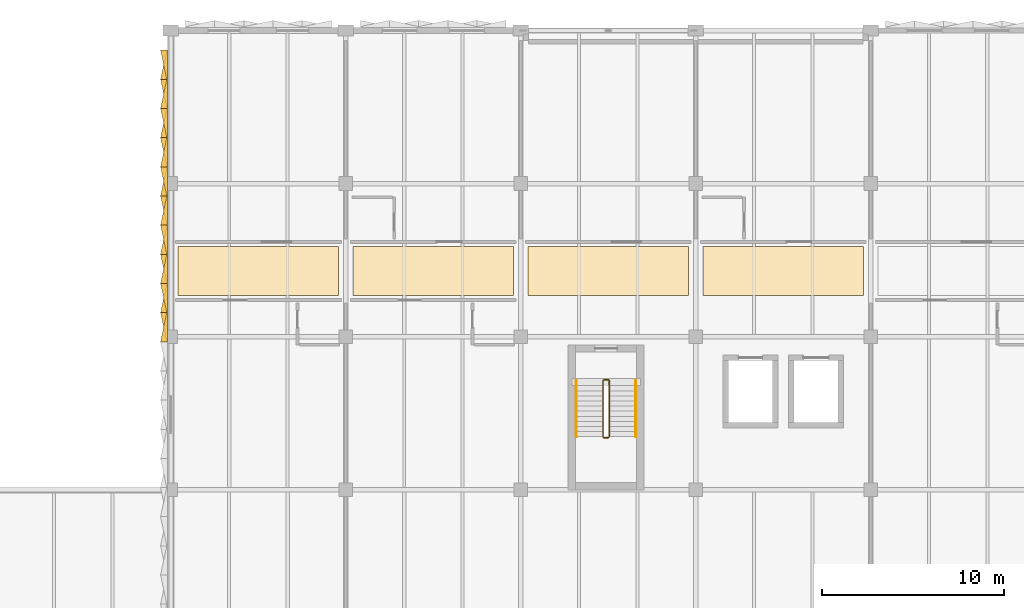
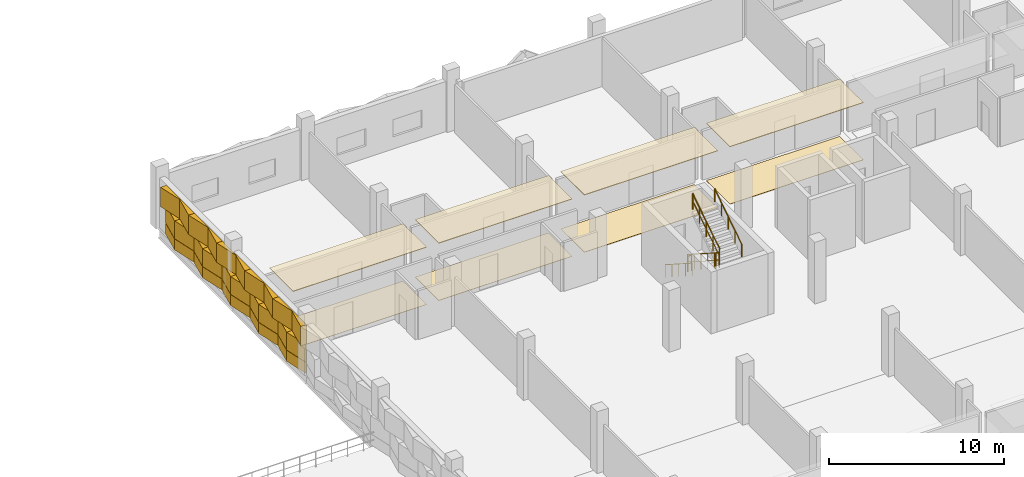
# One storey, part 83 of 86: 38 coverings, 6 railings.
"""IFC4 building model written with IfcOpenShell, lengths in metres."""

from ifc_helpers import new_model, si_unit, direction, frame, origin, origin_2d, place, context, subcontext, project, spatial, polyline, circle, outline, extrude, material, layer, layer_set, type_object, element, save


model = new_model("IFC4")

# Units and contexts
model_context = context("Model", 3, precision=1e-05, world=origin(), true_north=direction((0.0, 1.0)))
body_context = subcontext(model_context, "Body", "Model", "MODEL_VIEW")
ifc_project = project(units=[si_unit("LENGTHUNIT", "METRE"), si_unit("AREAUNIT", "SQUARE_METRE"), si_unit("VOLUMEUNIT", "CUBIC_METRE"), si_unit("PLANEANGLEUNIT", "RADIAN"), si_unit("MASSUNIT", "GRAM", prefix="KILO")], contexts=[model_context])

# Site, building, storey
site_placement = place(None, origin())
site = spatial("IfcSite", under=ifc_project, at=site_placement, CompositionType="ELEMENT")
building_placement = place(site_placement, origin())
building = spatial("IfcBuilding", under=site, at=building_placement, Name="Oolite Switchyard Hospital", CompositionType="ELEMENT")
storey_placement = place(building_placement, frame((0.0, 0.0, 13.5)))
storey = spatial("IfcBuildingStorey", under=building, at=storey_placement, Name="L03", CompositionType="ELEMENT", Elevation=13.5)

# Coverings
ifc_material_1 = material(Name="Hygienic washable mineral-fibre acoustic ceiling")
ifc_layer_1 = layer(ifc_material_1, 0.0400390625)
ifc_layer_set_1 = layer_set([ifc_layer_1], Name="COV-CEIL-AC60")
covering_type_1 = type_object("IfcCoveringType", Name="COV-CEIL-AC60", PredefinedType="CEILING", material=ifc_layer_set_1)
covering_1_placement = place(storey_placement, frame((0.0, 0.0, 3.985107421875)))
element("IfcCovering", 1, at=covering_1_placement, inside=storey, type_object=covering_type_1, Name="L03 East General Surgical Ward Corridor Ceiling 1", PredefinedType="CEILING", context=body_context, shape_type="SweptSolid", body=[
    extrude(outline(polyline([(134.800048828125, 119.85009765625), (143.60009765625, 119.85009765625), (143.60009765625, 122.550048828125), (134.800048828125, 122.550048828125), (134.800048828125, 119.85009765625)])), origin(), (0.0, 0.0, 1.0), 0.039794921875),
])
covering_2_placement = place(storey_placement, frame((0.0, 0.0, 3.985107421875)))
element("IfcCovering", 2, at=covering_2_placement, inside=storey, type_object=covering_type_1, Name="L03 East General Surgical Ward Corridor Ceiling 2", PredefinedType="CEILING", context=body_context, shape_type="SweptSolid", body=[
    extrude(outline(polyline([(144.39990234375, 119.85009765625), (153.199951171875, 119.85009765625), (153.199951171875, 122.550048828125), (144.39990234375, 122.550048828125), (144.39990234375, 119.85009765625)])), origin(), (0.0, 0.0, 1.0), 0.039794921875),
])
covering_3_placement = place(storey_placement, frame((0.0, 0.0, 3.985107421875)))
element("IfcCovering", 3, at=covering_3_placement, inside=storey, type_object=covering_type_1, Name="L03 East General Surgical Ward Corridor Ceiling 3", PredefinedType="CEILING", context=body_context, shape_type="SweptSolid", body=[
    extrude(outline(polyline([(154.0, 119.85009765625), (162.800048828125, 119.85009765625), (162.800048828125, 122.550048828125), (154.0, 122.550048828125), (154.0, 119.85009765625)])), origin(), (0.0, 0.0, 1.0), 0.039794921875),
])
covering_4_placement = place(storey_placement, frame((0.0, 0.0, 3.985107421875)))
element("IfcCovering", 4, at=covering_4_placement, inside=storey, type_object=covering_type_1, Name="L03 East General Surgical Ward Corridor Ceiling 4", PredefinedType="CEILING", context=body_context, shape_type="SweptSolid", body=[
    extrude(outline(polyline([(163.60009765625, 119.85009765625), (172.39990234375, 119.85009765625), (172.39990234375, 122.550048828125), (163.60009765625, 122.550048828125), (163.60009765625, 119.85009765625)])), origin(), (0.0, 0.0, 1.0), 0.039794921875),
])
ifc_material_2 = material(Name="Precast oolitic limestone architectural concrete C40/50", Category="masonry")
covering_type_2 = type_object("IfcCoveringType", Name="COV-CHEV-COOL", PredefinedType="CLADDING", material=ifc_material_2)
covering_5_placement = place(storey_placement, frame((134.219970703125, 117.320068359375, 0.050048828125), z_axis=(0.0, 0.0, 1.0), x_axis=(0.0, 1.0, 0.0)))
element("IfcCovering", 5, at=covering_5_placement, inside=storey, type_object=covering_type_2, Name="L03 Chevron Precast Oolite Panel 506", PredefinedType="CLADDING", context=body_context, shape_type="SweptSolid", body=[
    extrude(outline(polyline([(0.0, 0.0), (1.599853515625, 0.0), (1.599853515625, 0.385009765625), (0.0, 0.044921875), (0.0, 0.0)])), origin(), (0.0, 0.0, 1.0), 0.760009765625),
])
covering_6_placement = place(storey_placement, frame((134.219970703125, 117.320068359375, 2.090087890625), z_axis=(0.0, 0.0, 1.0), x_axis=(0.0, 1.0, 0.0)))
element("IfcCovering", 6, at=covering_6_placement, inside=storey, type_object=covering_type_2, Name="L03 Chevron Precast Oolite Panel 507", PredefinedType="CLADDING", context=body_context, shape_type="SweptSolid", body=[
    extrude(outline(polyline([(0.0, 0.0), (1.599853515625, 0.0), (1.599853515625, 0.044921875), (0.0, 0.385009765625), (0.0, 0.0)])), origin(), (0.0, 0.0, 1.0), 1.349853515625),
])
covering_7_placement = place(storey_placement, frame((134.219970703125, 117.320068359375, 0.830078125), z_axis=(0.0, 0.0, 1.0), x_axis=(0.0, 1.0, 0.0)))
element("IfcCovering", 7, at=covering_7_placement, inside=storey, type_object=covering_type_2, Name="L03 Chevron Precast Oolite Panel 508", PredefinedType="CLADDING", context=body_context, shape_type="SweptSolid", body=[
    extrude(outline(polyline([(0.0, 0.0), (1.599853515625, 0.0), (1.599853515625, 0.385009765625), (0.0, 0.044921875), (0.0, 0.0)])), origin(), (0.0, 0.0, 1.0), 1.239990234375),
])
covering_8_placement = place(storey_placement, frame((134.219970703125, 118.919921875, 0.050048828125), z_axis=(0.0, 0.0, 1.0), x_axis=(0.0, 1.0, 0.0)))
element("IfcCovering", 8, at=covering_8_placement, inside=storey, type_object=covering_type_2, Name="L03 Chevron Precast Oolite Panel 509", PredefinedType="CLADDING", context=body_context, shape_type="SweptSolid", body=[
    extrude(outline(polyline([(0.0, 0.0), (1.60009765625, 0.0), (1.60009765625, 0.044921875), (0.0, 0.385009765625), (0.0, 0.0)])), origin(), (0.0, 0.0, 1.0), 0.760009765625),
])
covering_9_placement = place(storey_placement, frame((134.219970703125, 118.919921875, 2.090087890625), z_axis=(0.0, 0.0, 1.0), x_axis=(0.0, 1.0, 0.0)))
element("IfcCovering", 9, at=covering_9_placement, inside=storey, type_object=covering_type_2, Name="L03 Chevron Precast Oolite Panel 510", PredefinedType="CLADDING", context=body_context, shape_type="SweptSolid", body=[
    extrude(outline(polyline([(0.0, 0.0), (1.60009765625, 0.0), (1.60009765625, 0.385009765625), (0.0, 0.044921875), (0.0, 0.0)])), origin(), (0.0, 0.0, 1.0), 1.349853515625),
])
covering_10_placement = place(storey_placement, frame((134.219970703125, 118.919921875, 0.830078125), z_axis=(0.0, 0.0, 1.0), x_axis=(0.0, 1.0, 0.0)))
element("IfcCovering", 10, at=covering_10_placement, inside=storey, type_object=covering_type_2, Name="L03 Chevron Precast Oolite Panel 511", PredefinedType="CLADDING", context=body_context, shape_type="SweptSolid", body=[
    extrude(outline(polyline([(0.0, 0.0), (1.60009765625, 0.0), (1.60009765625, 0.044921875), (0.0, 0.385009765625), (0.0, 0.0)])), origin(), (0.0, 0.0, 1.0), 1.239990234375),
])
covering_11_placement = place(storey_placement, frame((134.219970703125, 120.52001953125, 0.050048828125), z_axis=(0.0, 0.0, 1.0), x_axis=(0.0, 1.0, 0.0)))
element("IfcCovering", 11, at=covering_11_placement, inside=storey, type_object=covering_type_2, Name="L03 Chevron Precast Oolite Panel 512", PredefinedType="CLADDING", context=body_context, shape_type="SweptSolid", body=[
    extrude(outline(polyline([(0.0, 0.0), (1.60009765625, 0.0), (1.60009765625, 0.385009765625), (0.0, 0.044921875), (0.0, 0.0)])), origin(), (0.0, 0.0, 1.0), 0.760009765625),
])
covering_12_placement = place(storey_placement, frame((134.219970703125, 120.52001953125, 2.090087890625), z_axis=(0.0, 0.0, 1.0), x_axis=(0.0, 1.0, 0.0)))
element("IfcCovering", 12, at=covering_12_placement, inside=storey, type_object=covering_type_2, Name="L03 Chevron Precast Oolite Panel 513", PredefinedType="CLADDING", context=body_context, shape_type="SweptSolid", body=[
    extrude(outline(polyline([(0.0, 0.0), (1.60009765625, 0.0), (1.60009765625, 0.044921875), (0.0, 0.385009765625), (0.0, 0.0)])), origin(), (0.0, 0.0, 1.0), 1.349853515625),
])
covering_13_placement = place(storey_placement, frame((134.219970703125, 120.52001953125, 0.830078125), z_axis=(0.0, 0.0, 1.0), x_axis=(0.0, 1.0, 0.0)))
element("IfcCovering", 13, at=covering_13_placement, inside=storey, type_object=covering_type_2, Name="L03 Chevron Precast Oolite Panel 514", PredefinedType="CLADDING", context=body_context, shape_type="SweptSolid", body=[
    extrude(outline(polyline([(0.0, 0.0), (1.60009765625, 0.0), (1.60009765625, 0.385009765625), (0.0, 0.044921875), (0.0, 0.0)])), origin(), (0.0, 0.0, 1.0), 1.239990234375),
])
covering_14_placement = place(storey_placement, frame((134.219970703125, 122.1201171875, 0.050048828125), z_axis=(0.0, 0.0, 1.0), x_axis=(0.0, 1.0, 0.0)))
element("IfcCovering", 14, at=covering_14_placement, inside=storey, type_object=covering_type_2, Name="L03 Chevron Precast Oolite Panel 515", PredefinedType="CLADDING", context=body_context, shape_type="SweptSolid", body=[
    extrude(outline(polyline([(0.0, 0.0), (1.599853515625, 0.0), (1.599853515625, 0.044921875), (0.0, 0.385009765625), (0.0, 0.0)])), origin(), (0.0, 0.0, 1.0), 0.760009765625),
])
covering_15_placement = place(storey_placement, frame((134.219970703125, 122.1201171875, 2.090087890625), z_axis=(0.0, 0.0, 1.0), x_axis=(0.0, 1.0, 0.0)))
element("IfcCovering", 15, at=covering_15_placement, inside=storey, type_object=covering_type_2, Name="L03 Chevron Precast Oolite Panel 516", PredefinedType="CLADDING", context=body_context, shape_type="SweptSolid", body=[
    extrude(outline(polyline([(0.0, 0.0), (1.599853515625, 0.0), (1.599853515625, 0.385009765625), (0.0, 0.044921875), (0.0, 0.0)])), origin(), (0.0, 0.0, 1.0), 1.349853515625),
])
covering_16_placement = place(storey_placement, frame((134.219970703125, 122.1201171875, 0.830078125), z_axis=(0.0, 0.0, 1.0), x_axis=(0.0, 1.0, 0.0)))
element("IfcCovering", 16, at=covering_16_placement, inside=storey, type_object=covering_type_2, Name="L03 Chevron Precast Oolite Panel 517", PredefinedType="CLADDING", context=body_context, shape_type="SweptSolid", body=[
    extrude(outline(polyline([(0.0, 0.0), (1.599853515625, 0.0), (1.599853515625, 0.044921875), (0.0, 0.385009765625), (0.0, 0.0)])), origin(), (0.0, 0.0, 1.0), 1.239990234375),
])
covering_17_placement = place(storey_placement, frame((134.219970703125, 123.719970703125, 0.050048828125), z_axis=(0.0, 0.0, 1.0), x_axis=(0.0, 1.0, 0.0)))
element("IfcCovering", 17, at=covering_17_placement, inside=storey, type_object=covering_type_2, Name="L03 Chevron Precast Oolite Panel 518", PredefinedType="CLADDING", context=body_context, shape_type="SweptSolid", body=[
    extrude(outline(polyline([(0.0, 0.0), (1.60009765625, 0.0), (1.60009765625, 0.385009765625), (0.0, 0.044921875), (0.0, 0.0)])), origin(), (0.0, 0.0, 1.0), 0.760009765625),
])
covering_18_placement = place(storey_placement, frame((134.219970703125, 123.719970703125, 2.090087890625), z_axis=(0.0, 0.0, 1.0), x_axis=(0.0, 1.0, 0.0)))
element("IfcCovering", 18, at=covering_18_placement, inside=storey, type_object=covering_type_2, Name="L03 Chevron Precast Oolite Panel 519", PredefinedType="CLADDING", context=body_context, shape_type="SweptSolid", body=[
    extrude(outline(polyline([(0.0, 0.0), (1.60009765625, 0.0), (1.60009765625, 0.044921875), (0.0, 0.385009765625), (0.0, 0.0)])), origin(), (0.0, 0.0, 1.0), 1.349853515625),
])
covering_19_placement = place(storey_placement, frame((134.219970703125, 123.719970703125, 0.830078125), z_axis=(0.0, 0.0, 1.0), x_axis=(0.0, 1.0, 0.0)))
element("IfcCovering", 19, at=covering_19_placement, inside=storey, type_object=covering_type_2, Name="L03 Chevron Precast Oolite Panel 520", PredefinedType="CLADDING", context=body_context, shape_type="SweptSolid", body=[
    extrude(outline(polyline([(0.0, 0.0), (1.60009765625, 0.0), (1.60009765625, 0.385009765625), (0.0, 0.044921875), (0.0, 0.0)])), origin(), (0.0, 0.0, 1.0), 1.239990234375),
])
covering_20_placement = place(storey_placement, frame((134.219970703125, 125.320068359375, 0.050048828125), z_axis=(0.0, 0.0, 1.0), x_axis=(0.0, 1.0, 0.0)))
element("IfcCovering", 20, at=covering_20_placement, inside=storey, type_object=covering_type_2, Name="L03 Chevron Precast Oolite Panel 521", PredefinedType="CLADDING", context=body_context, shape_type="SweptSolid", body=[
    extrude(outline(polyline([(0.0, 0.0), (1.599853515625, 0.0), (1.599853515625, 0.044921875), (0.0, 0.385009765625), (0.0, 0.0)])), origin(), (0.0, 0.0, 1.0), 0.760009765625),
])
covering_21_placement = place(storey_placement, frame((134.219970703125, 125.320068359375, 2.090087890625), z_axis=(0.0, 0.0, 1.0), x_axis=(0.0, 1.0, 0.0)))
element("IfcCovering", 21, at=covering_21_placement, inside=storey, type_object=covering_type_2, Name="L03 Chevron Precast Oolite Panel 522", PredefinedType="CLADDING", context=body_context, shape_type="SweptSolid", body=[
    extrude(outline(polyline([(0.0, 0.0), (1.599853515625, 0.0), (1.599853515625, 0.385009765625), (0.0, 0.044921875), (0.0, 0.0)])), origin(), (0.0, 0.0, 1.0), 1.349853515625),
])
covering_22_placement = place(storey_placement, frame((134.219970703125, 125.320068359375, 0.830078125), z_axis=(0.0, 0.0, 1.0), x_axis=(0.0, 1.0, 0.0)))
element("IfcCovering", 22, at=covering_22_placement, inside=storey, type_object=covering_type_2, Name="L03 Chevron Precast Oolite Panel 523", PredefinedType="CLADDING", context=body_context, shape_type="SweptSolid", body=[
    extrude(outline(polyline([(0.0, 0.0), (1.599853515625, 0.0), (1.599853515625, 0.044921875), (0.0, 0.385009765625), (0.0, 0.0)])), origin(), (0.0, 0.0, 1.0), 1.239990234375),
])
covering_23_placement = place(storey_placement, frame((134.219970703125, 126.919921875, 0.050048828125), z_axis=(0.0, 0.0, 1.0), x_axis=(0.0, 1.0, 0.0)))
element("IfcCovering", 23, at=covering_23_placement, inside=storey, type_object=covering_type_2, Name="L03 Chevron Precast Oolite Panel 524", PredefinedType="CLADDING", context=body_context, shape_type="SweptSolid", body=[
    extrude(outline(polyline([(0.0, 0.0), (1.60009765625, 0.0), (1.60009765625, 0.385009765625), (0.0, 0.044921875), (0.0, 0.0)])), origin(), (0.0, 0.0, 1.0), 0.760009765625),
])
covering_24_placement = place(storey_placement, frame((134.219970703125, 126.919921875, 2.090087890625), z_axis=(0.0, 0.0, 1.0), x_axis=(0.0, 1.0, 0.0)))
element("IfcCovering", 24, at=covering_24_placement, inside=storey, type_object=covering_type_2, Name="L03 Chevron Precast Oolite Panel 525", PredefinedType="CLADDING", context=body_context, shape_type="SweptSolid", body=[
    extrude(outline(polyline([(0.0, 0.0), (1.60009765625, 0.0), (1.60009765625, 0.044921875), (0.0, 0.385009765625), (0.0, 0.0)])), origin(), (0.0, 0.0, 1.0), 1.349853515625),
])
covering_25_placement = place(storey_placement, frame((134.219970703125, 126.919921875, 0.830078125), z_axis=(0.0, 0.0, 1.0), x_axis=(0.0, 1.0, 0.0)))
element("IfcCovering", 25, at=covering_25_placement, inside=storey, type_object=covering_type_2, Name="L03 Chevron Precast Oolite Panel 526", PredefinedType="CLADDING", context=body_context, shape_type="SweptSolid", body=[
    extrude(outline(polyline([(0.0, 0.0), (1.60009765625, 0.0), (1.60009765625, 0.385009765625), (0.0, 0.044921875), (0.0, 0.0)])), origin(), (0.0, 0.0, 1.0), 1.239990234375),
])
covering_26_placement = place(storey_placement, frame((134.219970703125, 128.52001953125, 0.050048828125), z_axis=(0.0, 0.0, 1.0), x_axis=(0.0, 1.0, 0.0)))
element("IfcCovering", 26, at=covering_26_placement, inside=storey, type_object=covering_type_2, Name="L03 Chevron Precast Oolite Panel 527", PredefinedType="CLADDING", context=body_context, shape_type="SweptSolid", body=[
    extrude(outline(polyline([(0.0, 0.0), (1.60009765625, 0.0), (1.60009765625, 0.044921875), (0.0, 0.385009765625), (0.0, 0.0)])), origin(), (0.0, 0.0, 1.0), 0.760009765625),
])
covering_27_placement = place(storey_placement, frame((134.219970703125, 128.52001953125, 2.090087890625), z_axis=(0.0, 0.0, 1.0), x_axis=(0.0, 1.0, 0.0)))
element("IfcCovering", 27, at=covering_27_placement, inside=storey, type_object=covering_type_2, Name="L03 Chevron Precast Oolite Panel 528", PredefinedType="CLADDING", context=body_context, shape_type="SweptSolid", body=[
    extrude(outline(polyline([(0.0, 0.0), (1.60009765625, 0.0), (1.60009765625, 0.385009765625), (0.0, 0.044921875), (0.0, 0.0)])), origin(), (0.0, 0.0, 1.0), 1.349853515625),
])
covering_28_placement = place(storey_placement, frame((134.219970703125, 128.52001953125, 0.830078125), z_axis=(0.0, 0.0, 1.0), x_axis=(0.0, 1.0, 0.0)))
element("IfcCovering", 28, at=covering_28_placement, inside=storey, type_object=covering_type_2, Name="L03 Chevron Precast Oolite Panel 529", PredefinedType="CLADDING", context=body_context, shape_type="SweptSolid", body=[
    extrude(outline(polyline([(0.0, 0.0), (1.60009765625, 0.0), (1.60009765625, 0.044921875), (0.0, 0.385009765625), (0.0, 0.0)])), origin(), (0.0, 0.0, 1.0), 1.239990234375),
])
covering_29_placement = place(storey_placement, frame((134.219970703125, 130.1201171875, 0.050048828125), z_axis=(0.0, 0.0, 1.0), x_axis=(0.0, 1.0, 0.0)))
element("IfcCovering", 29, at=covering_29_placement, inside=storey, type_object=covering_type_2, Name="L03 Chevron Precast Oolite Panel 530", PredefinedType="CLADDING", context=body_context, shape_type="SweptSolid", body=[
    extrude(outline(polyline([(0.0, 0.0), (1.599853515625, 0.0), (1.599853515625, 0.385009765625), (0.0, 0.044921875), (0.0, 0.0)])), origin(), (0.0, 0.0, 1.0), 0.760009765625),
])
covering_30_placement = place(storey_placement, frame((134.219970703125, 130.1201171875, 2.090087890625), z_axis=(0.0, 0.0, 1.0), x_axis=(0.0, 1.0, 0.0)))
element("IfcCovering", 30, at=covering_30_placement, inside=storey, type_object=covering_type_2, Name="L03 Chevron Precast Oolite Panel 531", PredefinedType="CLADDING", context=body_context, shape_type="SweptSolid", body=[
    extrude(outline(polyline([(0.0, 0.0), (1.599853515625, 0.0), (1.599853515625, 0.044921875), (0.0, 0.385009765625), (0.0, 0.0)])), origin(), (0.0, 0.0, 1.0), 1.349853515625),
])
covering_31_placement = place(storey_placement, frame((134.219970703125, 130.1201171875, 0.830078125), z_axis=(0.0, 0.0, 1.0), x_axis=(0.0, 1.0, 0.0)))
element("IfcCovering", 31, at=covering_31_placement, inside=storey, type_object=covering_type_2, Name="L03 Chevron Precast Oolite Panel 532", PredefinedType="CLADDING", context=body_context, shape_type="SweptSolid", body=[
    extrude(outline(polyline([(0.0, 0.0), (1.599853515625, 0.0), (1.599853515625, 0.385009765625), (0.0, 0.044921875), (0.0, 0.0)])), origin(), (0.0, 0.0, 1.0), 1.239990234375),
])
covering_32_placement = place(storey_placement, frame((134.219970703125, 131.719970703125, 0.050048828125), z_axis=(0.0, 0.0, 1.0), x_axis=(0.0, 1.0, 0.0)))
element("IfcCovering", 32, at=covering_32_placement, inside=storey, type_object=covering_type_2, Name="L03 Chevron Precast Oolite Panel 533", PredefinedType="CLADDING", context=body_context, shape_type="SweptSolid", body=[
    extrude(outline(polyline([(0.0, 0.0), (1.60009765625, 0.0), (1.60009765625, 0.044921875), (0.0, 0.385009765625), (0.0, 0.0)])), origin(), (0.0, 0.0, 1.0), 0.760009765625),
])
covering_33_placement = place(storey_placement, frame((134.219970703125, 131.719970703125, 2.090087890625), z_axis=(0.0, 0.0, 1.0), x_axis=(0.0, 1.0, 0.0)))
element("IfcCovering", 33, at=covering_33_placement, inside=storey, type_object=covering_type_2, Name="L03 Chevron Precast Oolite Panel 534", PredefinedType="CLADDING", context=body_context, shape_type="SweptSolid", body=[
    extrude(outline(polyline([(0.0, 0.0), (1.60009765625, 0.0), (1.60009765625, 0.385009765625), (0.0, 0.044921875), (0.0, 0.0)])), origin(), (0.0, 0.0, 1.0), 1.349853515625),
])
covering_34_placement = place(storey_placement, frame((134.219970703125, 131.719970703125, 0.830078125), z_axis=(0.0, 0.0, 1.0), x_axis=(0.0, 1.0, 0.0)))
element("IfcCovering", 34, at=covering_34_placement, inside=storey, type_object=covering_type_2, Name="L03 Chevron Precast Oolite Panel 535", PredefinedType="CLADDING", context=body_context, shape_type="SweptSolid", body=[
    extrude(outline(polyline([(0.0, 0.0), (1.60009765625, 0.0), (1.60009765625, 0.044921875), (0.0, 0.385009765625), (0.0, 0.0)])), origin(), (0.0, 0.0, 1.0), 1.239990234375),
])
ifc_material_3 = material(Name="Epoxy terrazzo seamless clinical flooring")
ifc_layer_2 = layer(ifc_material_3, 0.02001953125)
ifc_layer_set_2 = layer_set([ifc_layer_2], Name="COV-FLR-TER20")
covering_type_3 = type_object("IfcCoveringType", Name="COV-FLR-TER20", PredefinedType="FLOORING", material=ifc_layer_set_2)
covering_35_placement = place(storey_placement, origin())
element("IfcCovering", 35, at=covering_35_placement, inside=storey, type_object=covering_type_3, Name="L03 East General Surgical Ward Corridor Flooring 1", PredefinedType="FLOORING", context=body_context, shape_type="SweptSolid", body=[
    extrude(outline(polyline([(134.800048828125, 119.85009765625), (143.60009765625, 119.85009765625), (143.60009765625, 122.550048828125), (134.800048828125, 122.550048828125), (134.800048828125, 119.85009765625)])), origin(), (0.0, 0.0, 1.0), 0.02001953125),
])
covering_36_placement = place(storey_placement, origin())
element("IfcCovering", 36, at=covering_36_placement, inside=storey, type_object=covering_type_3, Name="L03 East General Surgical Ward Corridor Flooring 2", PredefinedType="FLOORING", context=body_context, shape_type="SweptSolid", body=[
    extrude(outline(polyline([(144.39990234375, 119.85009765625), (153.199951171875, 119.85009765625), (153.199951171875, 122.550048828125), (144.39990234375, 122.550048828125), (144.39990234375, 119.85009765625)])), origin(), (0.0, 0.0, 1.0), 0.02001953125),
])
covering_37_placement = place(storey_placement, origin())
element("IfcCovering", 37, at=covering_37_placement, inside=storey, type_object=covering_type_3, Name="L03 East General Surgical Ward Corridor Flooring 3", PredefinedType="FLOORING", context=body_context, shape_type="SweptSolid", body=[
    extrude(outline(polyline([(154.0, 119.85009765625), (162.800048828125, 119.85009765625), (162.800048828125, 122.550048828125), (154.0, 122.550048828125), (154.0, 119.85009765625)])), origin(), (0.0, 0.0, 1.0), 0.02001953125),
])
covering_38_placement = place(storey_placement, origin())
element("IfcCovering", 38, at=covering_38_placement, inside=storey, type_object=covering_type_3, Name="L03 East General Surgical Ward Corridor Flooring 4", PredefinedType="FLOORING", context=body_context, shape_type="SweptSolid", body=[
    extrude(outline(polyline([(163.60009765625, 119.85009765625), (172.39990234375, 119.85009765625), (172.39990234375, 122.550048828125), (163.60009765625, 122.550048828125), (163.60009765625, 119.85009765625)])), origin(), (0.0, 0.0, 1.0), 0.02001953125),
])

# Railings
ifc_material_4 = material(Name="Galvanized painted architectural steel handrail", Category="steel")
railing_type_1 = type_object("IfcRailingType", Name="RL-STAIR-GRD", PredefinedType="GUARDRAIL", material=ifc_material_4)
railing_1_placement = place(storey_placement, frame((158.110107421875, 115.18994140625, 0.17919921875)))
element("IfcRailing", 39, at=railing_1_placement, inside=storey, type_object=railing_type_1, Name="L03 ST-03 stair guard 1", PredefinedType="GUARDRAIL", context=body_context, shape_type="SweptSolid", body=[
    extrude(circle(Radius=0.02392578125, at=origin_2d()), frame((0.0, 0.0, 1.076171875), z_axis=(0.0, -0.842319903074, 0.538977903893), x_axis=(1.0, 0.0, 0.0)), (0.0, 0.0, 1.0), 3.65625),
    extrude(circle(Radius=0.015625, at=origin_2d()), frame((0.0, 0.0, 0.550048828125), z_axis=(0.0, -0.842319903074, 0.538977903893), x_axis=(1.0, 0.0, 0.0)), (0.0, 0.0, 1.0), 3.65625),
    extrude(circle(Radius=0.02099609375, at=origin_2d()), origin(), (0.0, 0.0, 1.0), 1.052001953125),
    extrude(circle(Radius=0.02099609375, at=origin_2d()), frame((0.0, -0.77001953125, 0.49267578125)), (0.0, 0.0, 1.0), 1.052001953125),
    extrude(circle(Radius=0.02099609375, at=origin_2d()), frame((0.0, -1.5400390625, 0.9853515625)), (0.0, 0.0, 1.0), 1.052001953125),
    extrude(circle(Radius=0.02099609375, at=origin_2d()), frame((0.0, -2.309814453125, 1.47802734375)), (0.0, 0.0, 1.0), 1.052001953125),
    extrude(circle(Radius=0.02099609375, at=origin_2d()), frame((0.0, -3.079833984375, 1.970703125)), (0.0, 0.0, 1.0), 1.052001953125),
])
railing_2_placement = place(storey_placement, frame((158.159912109375, 112.06005859375, 2.14990234375)))
element("IfcRailing", 40, at=railing_2_placement, inside=storey, type_object=railing_type_1, Name="L03 ST-03 stair guard 2", PredefinedType="GUARDRAIL", context=body_context, shape_type="SweptSolid", body=[
    extrude(circle(Radius=0.02392578125, at=origin_2d()), frame((0.0, 0.0, 1.076171875), z_axis=(1.0, 0.0, 0.0), x_axis=(0.0, 1.0, 0.0)), (0.0, 0.0, 1.0), 0.239990234375),
    extrude(circle(Radius=0.015625, at=origin_2d()), frame((0.0, 0.0, 0.550048828125), z_axis=(1.0, 0.0, 0.0), x_axis=(0.0, 1.0, 0.0)), (0.0, 0.0, 1.0), 0.239990234375),
    extrude(circle(Radius=0.02099609375, at=origin_2d()), origin(), (0.0, 0.0, 1.0), 1.052001953125),
    extrude(circle(Radius=0.02099609375, at=origin_2d()), frame((0.239990234375, 0.0, 0.0)), (0.0, 0.0, 1.0), 1.052001953125),
])
railing_3_placement = place(storey_placement, frame((158.449951171875, 112.110107421875, 2.3291015625)))
element("IfcRailing", 41, at=railing_3_placement, inside=storey, type_object=railing_type_1, Name="L03 ST-03 stair guard 3", PredefinedType="GUARDRAIL", context=body_context, shape_type="SweptSolid", body=[
    extrude(circle(Radius=0.02392578125, at=origin_2d()), frame((0.0, 0.0, 1.076171875), z_axis=(0.0, 0.842289589211, 0.539025275759), x_axis=(-1.0, 0.0, 0.0)), (0.0, 0.0, 1.0), 3.656494140625),
    extrude(circle(Radius=0.015625, at=origin_2d()), frame((0.0, 0.0, 0.550048828125), z_axis=(0.0, 0.842289589211, 0.539025275759), x_axis=(-1.0, 0.0, 0.0)), (0.0, 0.0, 1.0), 3.656494140625),
    extrude(circle(Radius=0.02099609375, at=origin_2d()), origin(), (0.0, 0.0, 1.0), 1.052001953125),
    extrude(circle(Radius=0.02099609375, at=origin_2d()), frame((0.0, 0.77001953125, 0.49267578125)), (0.0, 0.0, 1.0), 1.052001953125),
    extrude(circle(Radius=0.02099609375, at=origin_2d()), frame((0.0, 1.5400390625, 0.9853515625)), (0.0, 0.0, 1.0), 1.052001953125),
    extrude(circle(Radius=0.02099609375, at=origin_2d()), frame((0.0, 2.309814453125, 1.478271484375)), (0.0, 0.0, 1.0), 1.052001953125),
    extrude(circle(Radius=0.02099609375, at=origin_2d()), frame((0.0, 3.079833984375, 1.970947265625)), (0.0, 0.0, 1.0), 1.052001953125),
])
railing_4_placement = place(storey_placement, frame((158.159912109375, 115.239990234375, 0.0)))
element("IfcRailing", 42, at=railing_4_placement, inside=storey, type_object=railing_type_1, Name="L03 ST-03 stair guard 4", PredefinedType="GUARDRAIL", context=body_context, shape_type="SweptSolid", body=[
    extrude(circle(Radius=0.02392578125, at=origin_2d()), frame((0.0, 0.0, 1.076171875), z_axis=(1.0, 0.0, 0.0), x_axis=(0.0, 1.0, 0.0)), (0.0, 0.0, 1.0), 0.239990234375),
    extrude(circle(Radius=0.015625, at=origin_2d()), frame((0.0, 0.0, 0.550048828125), z_axis=(1.0, 0.0, 0.0), x_axis=(0.0, 1.0, 0.0)), (0.0, 0.0, 1.0), 0.239990234375),
    extrude(circle(Radius=0.02099609375, at=origin_2d()), origin(), (0.0, 0.0, 1.0), 1.052001953125),
    extrude(circle(Radius=0.02099609375, at=origin_2d()), frame((0.239990234375, 0.0, 0.0)), (0.0, 0.0, 1.0), 1.052001953125),
])
railing_type_2 = type_object("IfcRailingType", Name="RL-STAIR-HND", PredefinedType="HANDRAIL", material=ifc_material_4)
railing_5_placement = place(storey_placement, frame((156.64990234375, 115.18994140625, 0.17919921875)))
element("IfcRailing", 43, at=railing_5_placement, inside=storey, type_object=railing_type_2, Name="L03 ST-03 stair handrail 1", PredefinedType="HANDRAIL", context=body_context, shape_type="SweptSolid", body=[
    extrude(circle(Radius=0.02392578125, at=origin_2d()), frame((0.0, 0.0, 0.8759765625), z_axis=(0.0, -0.842319903074, 0.538977903893), x_axis=(1.0, 0.0, 0.0)), (0.0, 0.0, 1.0), 3.65625),
    extrude(circle(Radius=0.02099609375, at=origin_2d()), origin(), (0.0, 0.0, 1.0), 0.851806640625),
    extrude(circle(Radius=0.02099609375, at=origin_2d()), frame((0.0, -0.77001953125, 0.49267578125)), (0.0, 0.0, 1.0), 0.851806640625),
    extrude(circle(Radius=0.02099609375, at=origin_2d()), frame((0.0, -1.5400390625, 0.9853515625)), (0.0, 0.0, 1.0), 0.851806640625),
    extrude(circle(Radius=0.02099609375, at=origin_2d()), frame((0.0, -2.309814453125, 1.47802734375)), (0.0, 0.0, 1.0), 0.851806640625),
    extrude(circle(Radius=0.02099609375, at=origin_2d()), frame((0.0, -3.079833984375, 1.970703125)), (0.0, 0.0, 1.0), 0.851806640625),
])
railing_6_placement = place(storey_placement, frame((159.909912109375, 112.110107421875, 2.3291015625)))
element("IfcRailing", 44, at=railing_6_placement, inside=storey, type_object=railing_type_2, Name="L03 ST-03 stair handrail 2", PredefinedType="HANDRAIL", context=body_context, shape_type="SweptSolid", body=[
    extrude(circle(Radius=0.02392578125, at=origin_2d()), frame((0.0, 0.0, 0.8759765625), z_axis=(0.0, 0.842289589211, 0.539025275759), x_axis=(-1.0, 0.0, 0.0)), (0.0, 0.0, 1.0), 3.656494140625),
    extrude(circle(Radius=0.02099609375, at=origin_2d()), origin(), (0.0, 0.0, 1.0), 0.851806640625),
    extrude(circle(Radius=0.02099609375, at=origin_2d()), frame((0.0, 0.77001953125, 0.49267578125)), (0.0, 0.0, 1.0), 0.851806640625),
    extrude(circle(Radius=0.02099609375, at=origin_2d()), frame((0.0, 1.5400390625, 0.9853515625)), (0.0, 0.0, 1.0), 0.851806640625),
    extrude(circle(Radius=0.02099609375, at=origin_2d()), frame((0.0, 2.309814453125, 1.478271484375)), (0.0, 0.0, 1.0), 0.851806640625),
    extrude(circle(Radius=0.02099609375, at=origin_2d()), frame((0.0, 3.079833984375, 1.970947265625)), (0.0, 0.0, 1.0), 0.851806640625),
])

save(model, "model.ifc")
